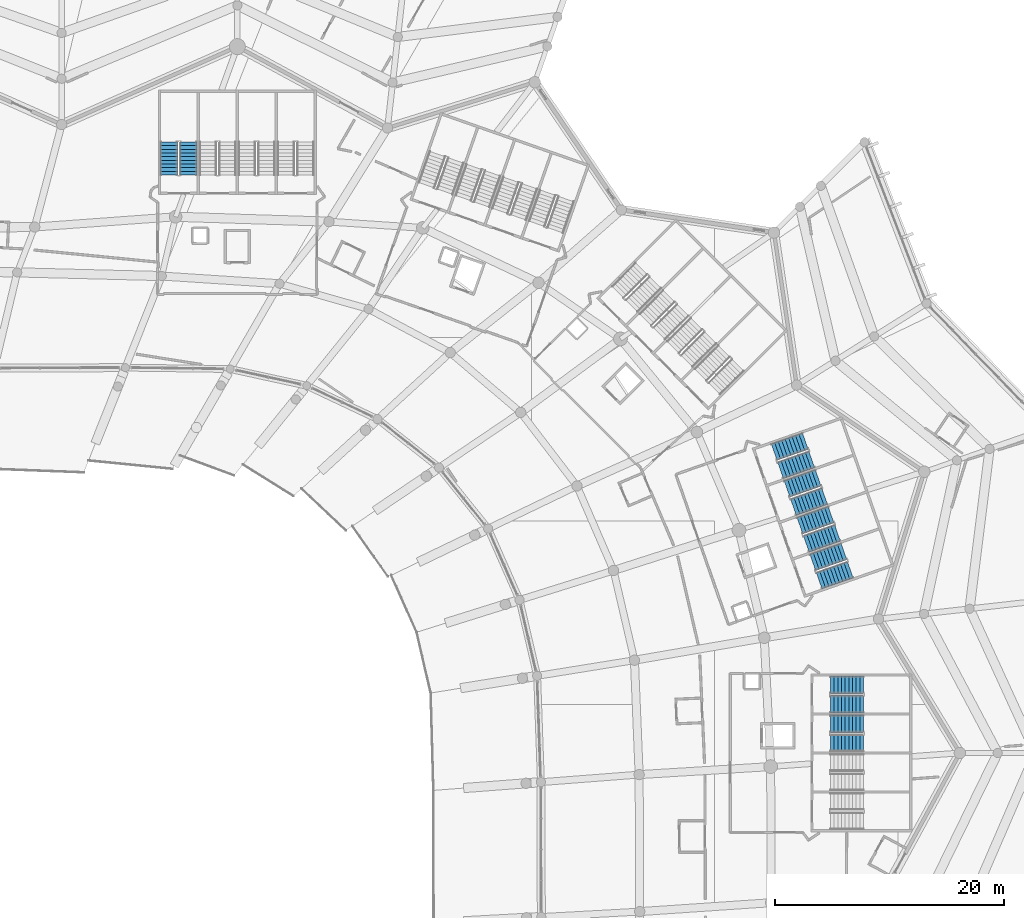
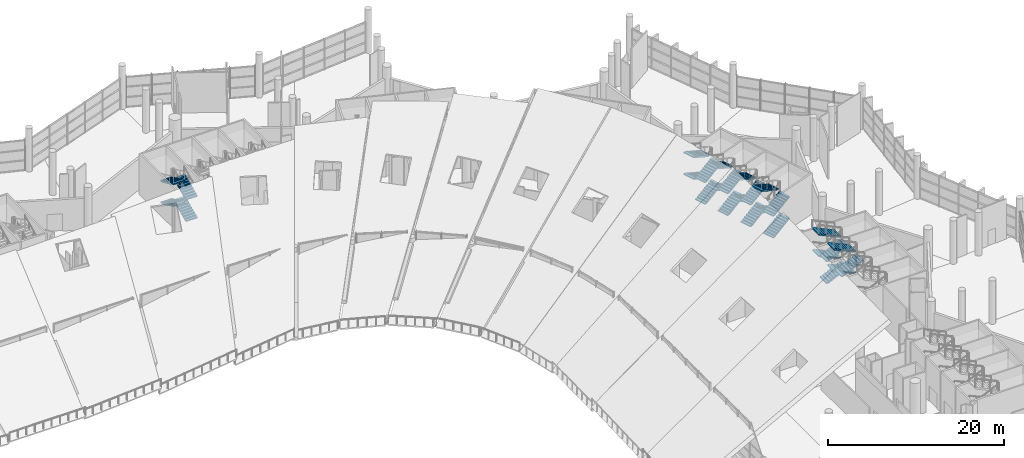
# One storey, part 196 of 249: 27 stair flights, 7 elements without a shape of their own.
"""IFC4 building model written with IfcOpenShell, lengths in metres."""

from ifc_helpers import new_model, si_unit, direction, frame, origin, place, context, subcontext, project, spatial, polyline, outline, extrude, material, type_object, element, aggregate, save


model = new_model("IFC4")

# Units and contexts
model_context = context("Model", 3, precision=1e-05, world=origin(), true_north=direction((0.0, 1.0)))
body_context = subcontext(model_context, "Body", "Model", "MODEL_VIEW")
ifc_project = project(units=[si_unit("LENGTHUNIT", "METRE"), si_unit("AREAUNIT", "SQUARE_METRE"), si_unit("VOLUMEUNIT", "CUBIC_METRE"), si_unit("PLANEANGLEUNIT", "RADIAN"), si_unit("MASSUNIT", "GRAM", prefix="KILO")], contexts=[model_context])

# Site, building, storey
site_placement = place(None, origin())
site = spatial("IfcSite", under=ifc_project, at=site_placement, CompositionType="ELEMENT")
building_placement = place(site_placement, origin())
building = spatial("IfcBuilding", under=site, at=building_placement, Name="Meseta Stadium", CompositionType="ELEMENT")
storey_placement = place(building_placement, frame((0.0, 0.0, 12.0)))
storey = spatial("IfcBuildingStorey", under=building, at=storey_placement, Name="L02", CompositionType="ELEMENT", Elevation=12.0)

# Stair, stair flights
ifc_material_1 = material(Name="Concrete C40/50", Category="concrete")
stair_type = type_object("IfcStairType", Name="Exit stair 4 flights 150 mm risers", PredefinedType="HALF_TURN_STAIR", material=ifc_material_1)
stair_1_placement = place(storey_placement, origin())
stair_1 = element("IfcStair", 1, at=stair_1_placement, inside=storey, type_object=stair_type, Name="ST19 L02", PredefinedType="HALF_TURN_STAIR")
ifc_material_2 = material(Name="Concrete C40/50", Category="concrete")
stair_flight_type = type_object("IfcStairFlightType", Name="Exit stair flight 150 mm risers, 4 per storey", PredefinedType="STRAIGHT", material=ifc_material_2)
stair_flight_1_placement = place(storey_placement, frame((92.97998046875, 46.300048828125, 1.5), z_axis=(0.0, 0.0, 1.0), x_axis=(-1.0, 0.0, 0.0)))
stair_flight_1 = element("IfcStairFlight", 2, at=stair_flight_1_placement, type_object=stair_flight_type, Name="ST19 L02 flight 2", NumberOfRisers=10, NumberOfTreads=9, PredefinedType="STRAIGHT", RiserHeight=0.15, TreadLength=0.32, context=body_context, shape_type="SweptSolid", body=[
    extrude(outline(polyline([(0.0, 0.0), (0.0, 0.14990234375), (0.320068359375, 0.14990234375), (0.320068359375, 0.300048828125), (0.639892578125, 0.300048828125), (0.639892578125, 0.449951171875), (0.9599609375, 0.449951171875), (0.9599609375, 0.60009765625), (1.280029296875, 0.60009765625), (1.280029296875, 0.75), (1.60009765625, 0.75), (1.60009765625, 0.89990234375), (1.919921875, 0.89990234375), (1.919921875, 1.050048828125), (2.239990234375, 1.050048828125), (2.239990234375, 1.199951171875), (2.56005859375, 1.199951171875), (2.56005859375, 1.35009765625), (2.8798828125, 1.35009765625), (2.8798828125, 1.184326171875), (0.353271484375, 0.0), (0.0, 0.0)])), frame((0.0, 0.75, 0.0), z_axis=(0.0, -1.0, 0.0), x_axis=(1.0, 0.0, 0.0)), (0.0, 0.0, 1.0), 1.5),
])
stair_flight_2_placement = place(storey_placement, frame((90.10009765625, 44.60009765625, 3.0), z_axis=(0.0, 0.0, 1.0), x_axis=(1.0, 0.0, 0.0)))
stair_flight_2 = element("IfcStairFlight", 3, at=stair_flight_2_placement, type_object=stair_flight_type, Name="ST19 L02 flight 3", NumberOfRisers=10, NumberOfTreads=9, PredefinedType="STRAIGHT", RiserHeight=0.15, TreadLength=0.32, context=body_context, shape_type="SweptSolid", body=[
    extrude(outline(polyline([(0.0, 0.0), (0.0, 0.14990234375), (0.320068359375, 0.14990234375), (0.320068359375, 0.300048828125), (0.639892578125, 0.300048828125), (0.639892578125, 0.449951171875), (0.9599609375, 0.449951171875), (0.9599609375, 0.60009765625), (1.280029296875, 0.60009765625), (1.280029296875, 0.75), (1.60009765625, 0.75), (1.60009765625, 0.89990234375), (1.919921875, 0.89990234375), (1.919921875, 1.050048828125), (2.239990234375, 1.050048828125), (2.239990234375, 1.199951171875), (2.56005859375, 1.199951171875), (2.56005859375, 1.35009765625), (2.8798828125, 1.35009765625), (2.8798828125, 1.184326171875), (0.353271484375, 0.0), (0.0, 0.0)])), frame((0.0, 0.75, 0.0), z_axis=(0.0, -1.0, 0.0), x_axis=(1.0, 0.0, 0.0)), (0.0, 0.0, 1.0), 1.5),
])
stair_flight_3_placement = place(storey_placement, frame((92.97998046875, 46.300048828125, 4.5), z_axis=(0.0, 0.0, 1.0), x_axis=(-1.0, 0.0, 0.0)))
stair_flight_3 = element("IfcStairFlight", 4, at=stair_flight_3_placement, type_object=stair_flight_type, Name="ST19 L02 flight 4", NumberOfRisers=10, NumberOfTreads=9, PredefinedType="STRAIGHT", RiserHeight=0.15, TreadLength=0.32, context=body_context, shape_type="SweptSolid", body=[
    extrude(outline(polyline([(0.0, 0.0), (0.0, 0.14990234375), (0.320068359375, 0.14990234375), (0.320068359375, 0.300048828125), (0.639892578125, 0.300048828125), (0.639892578125, 0.449951171875), (0.9599609375, 0.449951171875), (0.9599609375, 0.60009765625), (1.280029296875, 0.60009765625), (1.280029296875, 0.75), (1.60009765625, 0.75), (1.60009765625, 0.89990234375), (1.919921875, 0.89990234375), (1.919921875, 1.050048828125), (2.239990234375, 1.050048828125), (2.239990234375, 1.199951171875), (2.56005859375, 1.199951171875), (2.56005859375, 1.35009765625), (2.8798828125, 1.35009765625), (2.8798828125, 1.184326171875), (0.353271484375, 0.0), (0.0, 0.0)])), frame((0.0, 0.75, 0.0), z_axis=(0.0, -1.0, 0.0), x_axis=(1.0, 0.0, 0.0)), (0.0, 0.0, 1.0), 1.5),
])
aggregate(stair_1, [stair_flight_1, stair_flight_2, stair_flight_3])

stair_2_placement = place(storey_placement, origin())
stair_2 = element("IfcStair", 5, at=stair_2_placement, inside=storey, type_object=stair_type, Name="ST20 L02", PredefinedType="HALF_TURN_STAIR")
stair_flight_4_placement = place(storey_placement, frame((90.10009765625, 48.0, 0.0), z_axis=(0.0, 0.0, 1.0), x_axis=(1.0, 0.0, 0.0)))
stair_flight_4 = element("IfcStairFlight", 6, at=stair_flight_4_placement, type_object=stair_flight_type, Name="ST20 L02 flight 1", NumberOfRisers=10, NumberOfTreads=9, PredefinedType="STRAIGHT", RiserHeight=0.15, TreadLength=0.32, context=body_context, shape_type="SweptSolid", body=[
    extrude(outline(polyline([(0.0, 0.0), (0.0, 0.14990234375), (0.320068359375, 0.14990234375), (0.320068359375, 0.300048828125), (0.639892578125, 0.300048828125), (0.639892578125, 0.449951171875), (0.9599609375, 0.449951171875), (0.9599609375, 0.60009765625), (1.280029296875, 0.60009765625), (1.280029296875, 0.75), (1.60009765625, 0.75), (1.60009765625, 0.89990234375), (1.919921875, 0.89990234375), (1.919921875, 1.050048828125), (2.239990234375, 1.050048828125), (2.239990234375, 1.199951171875), (2.56005859375, 1.199951171875), (2.56005859375, 1.35009765625), (2.8798828125, 1.35009765625), (2.8798828125, 1.184326171875), (0.353271484375, 0.0), (0.0, 0.0)])), frame((0.0, 0.75, 0.0), z_axis=(0.0, -1.0, 0.0), x_axis=(1.0, 0.0, 0.0)), (0.0, 0.0, 1.0), 1.5),
])
stair_flight_5_placement = place(storey_placement, frame((92.97998046875, 49.699951171875, 1.5), z_axis=(0.0, 0.0, 1.0), x_axis=(-1.0, 0.0, 0.0)))
stair_flight_5 = element("IfcStairFlight", 7, at=stair_flight_5_placement, type_object=stair_flight_type, Name="ST20 L02 flight 2", NumberOfRisers=10, NumberOfTreads=9, PredefinedType="STRAIGHT", RiserHeight=0.15, TreadLength=0.32, context=body_context, shape_type="SweptSolid", body=[
    extrude(outline(polyline([(0.0, 0.0), (0.0, 0.14990234375), (0.320068359375, 0.14990234375), (0.320068359375, 0.300048828125), (0.639892578125, 0.300048828125), (0.639892578125, 0.449951171875), (0.9599609375, 0.449951171875), (0.9599609375, 0.60009765625), (1.280029296875, 0.60009765625), (1.280029296875, 0.75), (1.60009765625, 0.75), (1.60009765625, 0.89990234375), (1.919921875, 0.89990234375), (1.919921875, 1.050048828125), (2.239990234375, 1.050048828125), (2.239990234375, 1.199951171875), (2.56005859375, 1.199951171875), (2.56005859375, 1.35009765625), (2.8798828125, 1.35009765625), (2.8798828125, 1.184326171875), (0.353271484375, 0.0), (0.0, 0.0)])), frame((0.0, 0.75, 0.0), z_axis=(0.0, -1.0, 0.0), x_axis=(1.0, 0.0, 0.0)), (0.0, 0.0, 1.0), 1.5),
])
stair_flight_6_placement = place(storey_placement, frame((90.10009765625, 48.0, 3.0), z_axis=(0.0, 0.0, 1.0), x_axis=(1.0, 0.0, 0.0)))
stair_flight_6 = element("IfcStairFlight", 8, at=stair_flight_6_placement, type_object=stair_flight_type, Name="ST20 L02 flight 3", NumberOfRisers=10, NumberOfTreads=9, PredefinedType="STRAIGHT", RiserHeight=0.15, TreadLength=0.32, context=body_context, shape_type="SweptSolid", body=[
    extrude(outline(polyline([(0.0, 0.0), (0.0, 0.14990234375), (0.320068359375, 0.14990234375), (0.320068359375, 0.300048828125), (0.639892578125, 0.300048828125), (0.639892578125, 0.449951171875), (0.9599609375, 0.449951171875), (0.9599609375, 0.60009765625), (1.280029296875, 0.60009765625), (1.280029296875, 0.75), (1.60009765625, 0.75), (1.60009765625, 0.89990234375), (1.919921875, 0.89990234375), (1.919921875, 1.050048828125), (2.239990234375, 1.050048828125), (2.239990234375, 1.199951171875), (2.56005859375, 1.199951171875), (2.56005859375, 1.35009765625), (2.8798828125, 1.35009765625), (2.8798828125, 1.184326171875), (0.353271484375, 0.0), (0.0, 0.0)])), frame((0.0, 0.75, 0.0), z_axis=(0.0, -1.0, 0.0), x_axis=(1.0, 0.0, 0.0)), (0.0, 0.0, 1.0), 1.5),
])
stair_flight_7_placement = place(storey_placement, frame((92.97998046875, 49.699951171875, 4.5), z_axis=(0.0, 0.0, 1.0), x_axis=(-1.0, 0.0, 0.0)))
stair_flight_7 = element("IfcStairFlight", 9, at=stair_flight_7_placement, type_object=stair_flight_type, Name="ST20 L02 flight 4", NumberOfRisers=10, NumberOfTreads=9, PredefinedType="STRAIGHT", RiserHeight=0.15, TreadLength=0.32, context=body_context, shape_type="SweptSolid", body=[
    extrude(outline(polyline([(0.0, 0.0), (0.0, 0.14990234375), (0.320068359375, 0.14990234375), (0.320068359375, 0.300048828125), (0.639892578125, 0.300048828125), (0.639892578125, 0.449951171875), (0.9599609375, 0.449951171875), (0.9599609375, 0.60009765625), (1.280029296875, 0.60009765625), (1.280029296875, 0.75), (1.60009765625, 0.75), (1.60009765625, 0.89990234375), (1.919921875, 0.89990234375), (1.919921875, 1.050048828125), (2.239990234375, 1.050048828125), (2.239990234375, 1.199951171875), (2.56005859375, 1.199951171875), (2.56005859375, 1.35009765625), (2.8798828125, 1.35009765625), (2.8798828125, 1.184326171875), (0.353271484375, 0.0), (0.0, 0.0)])), frame((0.0, 0.75, 0.0), z_axis=(0.0, -1.0, 0.0), x_axis=(1.0, 0.0, 0.0)), (0.0, 0.0, 1.0), 1.5),
])
aggregate(stair_2, [stair_flight_4, stair_flight_5, stair_flight_6, stair_flight_7])

stair_3_placement = place(storey_placement, origin())
stair_3 = element("IfcStair", 10, at=stair_3_placement, inside=storey, type_object=stair_type, Name="ST21 L02", PredefinedType="HALF_TURN_STAIR")
stair_flight_8_placement = place(storey_placement, frame((89.118408203125, 58.7841796875, 0.0), z_axis=(0.0, 0.0, 1.0), x_axis=(0.943883331955, 0.330279057248, 0.0)))
stair_flight_8 = element("IfcStairFlight", 11, at=stair_flight_8_placement, type_object=stair_flight_type, Name="ST21 L02 flight 1", NumberOfRisers=10, NumberOfTreads=9, PredefinedType="STRAIGHT", RiserHeight=0.15, TreadLength=0.32, context=body_context, shape_type="SweptSolid", body=[
    extrude(outline(polyline([(0.0, 0.0), (0.0, 0.14990234375), (0.320068359375, 0.14990234375), (0.320068359375, 0.300048828125), (0.639892578125, 0.300048828125), (0.639892578125, 0.449951171875), (0.9599609375, 0.449951171875), (0.9599609375, 0.60009765625), (1.280029296875, 0.60009765625), (1.280029296875, 0.75), (1.60009765625, 0.75), (1.60009765625, 0.89990234375), (1.919921875, 0.89990234375), (1.919921875, 1.050048828125), (2.239990234375, 1.050048828125), (2.239990234375, 1.199951171875), (2.56005859375, 1.199951171875), (2.56005859375, 1.35009765625), (2.8798828125, 1.35009765625), (2.8798828125, 1.184326171875), (0.353271484375, 0.0), (0.0, 0.0)])), frame((0.0, 0.75, 0.0), z_axis=(0.0, -1.0, 0.0), x_axis=(1.0, 0.0, 0.0)), (0.0, 0.0, 1.0), 1.5),
])
stair_flight_9_placement = place(storey_placement, frame((91.275390625, 61.33984375, 1.5), z_axis=(0.0, 0.0, 1.0), x_axis=(-0.943883331955, -0.330279057248, 0.0)))
stair_flight_9 = element("IfcStairFlight", 12, at=stair_flight_9_placement, type_object=stair_flight_type, Name="ST21 L02 flight 2", NumberOfRisers=10, NumberOfTreads=9, PredefinedType="STRAIGHT", RiserHeight=0.15, TreadLength=0.32, context=body_context, shape_type="SweptSolid", body=[
    extrude(outline(polyline([(0.0, 0.0), (0.0, 0.14990234375), (0.320068359375, 0.14990234375), (0.320068359375, 0.300048828125), (0.639892578125, 0.300048828125), (0.639892578125, 0.449951171875), (0.9599609375, 0.449951171875), (0.9599609375, 0.60009765625), (1.280029296875, 0.60009765625), (1.280029296875, 0.75), (1.60009765625, 0.75), (1.60009765625, 0.89990234375), (1.919921875, 0.89990234375), (1.919921875, 1.050048828125), (2.239990234375, 1.050048828125), (2.239990234375, 1.199951171875), (2.56005859375, 1.199951171875), (2.56005859375, 1.35009765625), (2.8798828125, 1.35009765625), (2.8798828125, 1.184326171875), (0.353271484375, 0.0), (0.0, 0.0)])), frame((0.0, 0.75, 0.0), z_axis=(0.0, -1.0, 0.0), x_axis=(1.0, 0.0, 0.0)), (0.0, 0.0, 1.0), 1.5),
])
stair_flight_10_placement = place(storey_placement, frame((89.118408203125, 58.7841796875, 3.0), z_axis=(0.0, 0.0, 1.0), x_axis=(0.943883331955, 0.330279057248, 0.0)))
stair_flight_10 = element("IfcStairFlight", 13, at=stair_flight_10_placement, type_object=stair_flight_type, Name="ST21 L02 flight 3", NumberOfRisers=10, NumberOfTreads=9, PredefinedType="STRAIGHT", RiserHeight=0.15, TreadLength=0.32, context=body_context, shape_type="SweptSolid", body=[
    extrude(outline(polyline([(0.0, 0.0), (0.0, 0.14990234375), (0.320068359375, 0.14990234375), (0.320068359375, 0.300048828125), (0.639892578125, 0.300048828125), (0.639892578125, 0.449951171875), (0.9599609375, 0.449951171875), (0.9599609375, 0.60009765625), (1.280029296875, 0.60009765625), (1.280029296875, 0.75), (1.60009765625, 0.75), (1.60009765625, 0.89990234375), (1.919921875, 0.89990234375), (1.919921875, 1.050048828125), (2.239990234375, 1.050048828125), (2.239990234375, 1.199951171875), (2.56005859375, 1.199951171875), (2.56005859375, 1.35009765625), (2.8798828125, 1.35009765625), (2.8798828125, 1.184326171875), (0.353271484375, 0.0), (0.0, 0.0)])), frame((0.0, 0.75, 0.0), z_axis=(0.0, -1.0, 0.0), x_axis=(1.0, 0.0, 0.0)), (0.0, 0.0, 1.0), 1.5),
])
stair_flight_11_placement = place(storey_placement, frame((91.275390625, 61.33984375, 4.5), z_axis=(0.0, 0.0, 1.0), x_axis=(-0.943883331955, -0.330279057248, 0.0)))
stair_flight_11 = element("IfcStairFlight", 14, at=stair_flight_11_placement, type_object=stair_flight_type, Name="ST21 L02 flight 4", NumberOfRisers=10, NumberOfTreads=9, PredefinedType="STRAIGHT", RiserHeight=0.15, TreadLength=0.32, context=body_context, shape_type="SweptSolid", body=[
    extrude(outline(polyline([(0.0, 0.0), (0.0, 0.14990234375), (0.320068359375, 0.14990234375), (0.320068359375, 0.300048828125), (0.639892578125, 0.300048828125), (0.639892578125, 0.449951171875), (0.9599609375, 0.449951171875), (0.9599609375, 0.60009765625), (1.280029296875, 0.60009765625), (1.280029296875, 0.75), (1.60009765625, 0.75), (1.60009765625, 0.89990234375), (1.919921875, 0.89990234375), (1.919921875, 1.050048828125), (2.239990234375, 1.050048828125), (2.239990234375, 1.199951171875), (2.56005859375, 1.199951171875), (2.56005859375, 1.35009765625), (2.8798828125, 1.35009765625), (2.8798828125, 1.184326171875), (0.353271484375, 0.0), (0.0, 0.0)])), frame((0.0, 0.75, 0.0), z_axis=(0.0, -1.0, 0.0), x_axis=(1.0, 0.0, 0.0)), (0.0, 0.0, 1.0), 1.5),
])
aggregate(stair_3, [stair_flight_8, stair_flight_9, stair_flight_10, stair_flight_11])

stair_4_placement = place(storey_placement, origin())
stair_4 = element("IfcStair", 15, at=stair_4_placement, inside=storey, type_object=stair_type, Name="ST22 L02", PredefinedType="HALF_TURN_STAIR")
stair_flight_12_placement = place(storey_placement, frame((87.99560546875, 61.9931640625, 0.0), z_axis=(0.0, 0.0, 1.0), x_axis=(0.943883331955, 0.330279057248, 0.0)))
stair_flight_12 = element("IfcStairFlight", 16, at=stair_flight_12_placement, type_object=stair_flight_type, Name="ST22 L02 flight 1", NumberOfRisers=10, NumberOfTreads=9, PredefinedType="STRAIGHT", RiserHeight=0.15, TreadLength=0.32, context=body_context, shape_type="SweptSolid", body=[
    extrude(outline(polyline([(0.0, 0.0), (0.0, 0.14990234375), (0.320068359375, 0.14990234375), (0.320068359375, 0.300048828125), (0.639892578125, 0.300048828125), (0.639892578125, 0.449951171875), (0.9599609375, 0.449951171875), (0.9599609375, 0.60009765625), (1.280029296875, 0.60009765625), (1.280029296875, 0.75), (1.60009765625, 0.75), (1.60009765625, 0.89990234375), (1.919921875, 0.89990234375), (1.919921875, 1.050048828125), (2.239990234375, 1.050048828125), (2.239990234375, 1.199951171875), (2.56005859375, 1.199951171875), (2.56005859375, 1.35009765625), (2.8798828125, 1.35009765625), (2.8798828125, 1.184326171875), (0.353271484375, 0.0), (0.0, 0.0)])), frame((0.0, 0.75, 0.0), z_axis=(0.0, -1.0, 0.0), x_axis=(1.0, 0.0, 0.0)), (0.0, 0.0, 1.0), 1.5),
])
stair_flight_13_placement = place(storey_placement, frame((90.15234375, 64.549072265625, 1.5), z_axis=(0.0, 0.0, 1.0), x_axis=(-0.943883331955, -0.330279057248, 0.0)))
stair_flight_13 = element("IfcStairFlight", 17, at=stair_flight_13_placement, type_object=stair_flight_type, Name="ST22 L02 flight 2", NumberOfRisers=10, NumberOfTreads=9, PredefinedType="STRAIGHT", RiserHeight=0.15, TreadLength=0.32, context=body_context, shape_type="SweptSolid", body=[
    extrude(outline(polyline([(0.0, 0.0), (0.0, 0.14990234375), (0.320068359375, 0.14990234375), (0.320068359375, 0.300048828125), (0.639892578125, 0.300048828125), (0.639892578125, 0.449951171875), (0.9599609375, 0.449951171875), (0.9599609375, 0.60009765625), (1.280029296875, 0.60009765625), (1.280029296875, 0.75), (1.60009765625, 0.75), (1.60009765625, 0.89990234375), (1.919921875, 0.89990234375), (1.919921875, 1.050048828125), (2.239990234375, 1.050048828125), (2.239990234375, 1.199951171875), (2.56005859375, 1.199951171875), (2.56005859375, 1.35009765625), (2.8798828125, 1.35009765625), (2.8798828125, 1.184326171875), (0.353271484375, 0.0), (0.0, 0.0)])), frame((0.0, 0.75, 0.0), z_axis=(0.0, -1.0, 0.0), x_axis=(1.0, 0.0, 0.0)), (0.0, 0.0, 1.0), 1.5),
])
stair_flight_14_placement = place(storey_placement, frame((87.99560546875, 61.9931640625, 3.0), z_axis=(0.0, 0.0, 1.0), x_axis=(0.943883331955, 0.330279057248, 0.0)))
stair_flight_14 = element("IfcStairFlight", 18, at=stair_flight_14_placement, type_object=stair_flight_type, Name="ST22 L02 flight 3", NumberOfRisers=10, NumberOfTreads=9, PredefinedType="STRAIGHT", RiserHeight=0.15, TreadLength=0.32, context=body_context, shape_type="SweptSolid", body=[
    extrude(outline(polyline([(0.0, 0.0), (0.0, 0.14990234375), (0.320068359375, 0.14990234375), (0.320068359375, 0.300048828125), (0.639892578125, 0.300048828125), (0.639892578125, 0.449951171875), (0.9599609375, 0.449951171875), (0.9599609375, 0.60009765625), (1.280029296875, 0.60009765625), (1.280029296875, 0.75), (1.60009765625, 0.75), (1.60009765625, 0.89990234375), (1.919921875, 0.89990234375), (1.919921875, 1.050048828125), (2.239990234375, 1.050048828125), (2.239990234375, 1.199951171875), (2.56005859375, 1.199951171875), (2.56005859375, 1.35009765625), (2.8798828125, 1.35009765625), (2.8798828125, 1.184326171875), (0.353271484375, 0.0), (0.0, 0.0)])), frame((0.0, 0.75, 0.0), z_axis=(0.0, -1.0, 0.0), x_axis=(1.0, 0.0, 0.0)), (0.0, 0.0, 1.0), 1.5),
])
stair_flight_15_placement = place(storey_placement, frame((90.15234375, 64.549072265625, 4.5), z_axis=(0.0, 0.0, 1.0), x_axis=(-0.943883331955, -0.330279057248, 0.0)))
stair_flight_15 = element("IfcStairFlight", 19, at=stair_flight_15_placement, type_object=stair_flight_type, Name="ST22 L02 flight 4", NumberOfRisers=10, NumberOfTreads=9, PredefinedType="STRAIGHT", RiserHeight=0.15, TreadLength=0.32, context=body_context, shape_type="SweptSolid", body=[
    extrude(outline(polyline([(0.0, 0.0), (0.0, 0.14990234375), (0.320068359375, 0.14990234375), (0.320068359375, 0.300048828125), (0.639892578125, 0.300048828125), (0.639892578125, 0.449951171875), (0.9599609375, 0.449951171875), (0.9599609375, 0.60009765625), (1.280029296875, 0.60009765625), (1.280029296875, 0.75), (1.60009765625, 0.75), (1.60009765625, 0.89990234375), (1.919921875, 0.89990234375), (1.919921875, 1.050048828125), (2.239990234375, 1.050048828125), (2.239990234375, 1.199951171875), (2.56005859375, 1.199951171875), (2.56005859375, 1.35009765625), (2.8798828125, 1.35009765625), (2.8798828125, 1.184326171875), (0.353271484375, 0.0), (0.0, 0.0)])), frame((0.0, 0.75, 0.0), z_axis=(0.0, -1.0, 0.0), x_axis=(1.0, 0.0, 0.0)), (0.0, 0.0, 1.0), 1.5),
])
aggregate(stair_4, [stair_flight_12, stair_flight_13, stair_flight_14, stair_flight_15])

stair_5_placement = place(storey_placement, origin())
stair_5 = element("IfcStair", 20, at=stair_5_placement, inside=storey, type_object=stair_type, Name="ST23 L02", PredefinedType="HALF_TURN_STAIR")
stair_flight_16_placement = place(storey_placement, frame((86.87255859375, 65.202392578125, 0.0), z_axis=(0.0, 0.0, 1.0), x_axis=(0.943883331955, 0.330279057248, 0.0)))
stair_flight_16 = element("IfcStairFlight", 21, at=stair_flight_16_placement, type_object=stair_flight_type, Name="ST23 L02 flight 1", NumberOfRisers=10, NumberOfTreads=9, PredefinedType="STRAIGHT", RiserHeight=0.15, TreadLength=0.32, context=body_context, shape_type="SweptSolid", body=[
    extrude(outline(polyline([(0.0, 0.0), (0.0, 0.14990234375), (0.320068359375, 0.14990234375), (0.320068359375, 0.300048828125), (0.639892578125, 0.300048828125), (0.639892578125, 0.449951171875), (0.9599609375, 0.449951171875), (0.9599609375, 0.60009765625), (1.280029296875, 0.60009765625), (1.280029296875, 0.75), (1.60009765625, 0.75), (1.60009765625, 0.89990234375), (1.919921875, 0.89990234375), (1.919921875, 1.050048828125), (2.239990234375, 1.050048828125), (2.239990234375, 1.199951171875), (2.56005859375, 1.199951171875), (2.56005859375, 1.35009765625), (2.8798828125, 1.35009765625), (2.8798828125, 1.184326171875), (0.353271484375, 0.0), (0.0, 0.0)])), frame((0.0, 0.75, 0.0), z_axis=(0.0, -1.0, 0.0), x_axis=(1.0, 0.0, 0.0)), (0.0, 0.0, 1.0), 1.5),
])
stair_flight_17_placement = place(storey_placement, frame((89.029541015625, 67.75830078125, 1.5), z_axis=(0.0, 0.0, 1.0), x_axis=(-0.943883331955, -0.330279057248, 0.0)))
stair_flight_17 = element("IfcStairFlight", 22, at=stair_flight_17_placement, type_object=stair_flight_type, Name="ST23 L02 flight 2", NumberOfRisers=10, NumberOfTreads=9, PredefinedType="STRAIGHT", RiserHeight=0.15, TreadLength=0.32, context=body_context, shape_type="SweptSolid", body=[
    extrude(outline(polyline([(0.0, 0.0), (0.0, 0.14990234375), (0.320068359375, 0.14990234375), (0.320068359375, 0.300048828125), (0.639892578125, 0.300048828125), (0.639892578125, 0.449951171875), (0.9599609375, 0.449951171875), (0.9599609375, 0.60009765625), (1.280029296875, 0.60009765625), (1.280029296875, 0.75), (1.60009765625, 0.75), (1.60009765625, 0.89990234375), (1.919921875, 0.89990234375), (1.919921875, 1.050048828125), (2.239990234375, 1.050048828125), (2.239990234375, 1.199951171875), (2.56005859375, 1.199951171875), (2.56005859375, 1.35009765625), (2.8798828125, 1.35009765625), (2.8798828125, 1.184326171875), (0.353271484375, 0.0), (0.0, 0.0)])), frame((0.0, 0.75, 0.0), z_axis=(0.0, -1.0, 0.0), x_axis=(1.0, 0.0, 0.0)), (0.0, 0.0, 1.0), 1.5),
])
stair_flight_18_placement = place(storey_placement, frame((86.87255859375, 65.202392578125, 3.0), z_axis=(0.0, 0.0, 1.0), x_axis=(0.943883331955, 0.330279057248, 0.0)))
stair_flight_18 = element("IfcStairFlight", 23, at=stair_flight_18_placement, type_object=stair_flight_type, Name="ST23 L02 flight 3", NumberOfRisers=10, NumberOfTreads=9, PredefinedType="STRAIGHT", RiserHeight=0.15, TreadLength=0.32, context=body_context, shape_type="SweptSolid", body=[
    extrude(outline(polyline([(0.0, 0.0), (0.0, 0.14990234375), (0.320068359375, 0.14990234375), (0.320068359375, 0.300048828125), (0.639892578125, 0.300048828125), (0.639892578125, 0.449951171875), (0.9599609375, 0.449951171875), (0.9599609375, 0.60009765625), (1.280029296875, 0.60009765625), (1.280029296875, 0.75), (1.60009765625, 0.75), (1.60009765625, 0.89990234375), (1.919921875, 0.89990234375), (1.919921875, 1.050048828125), (2.239990234375, 1.050048828125), (2.239990234375, 1.199951171875), (2.56005859375, 1.199951171875), (2.56005859375, 1.35009765625), (2.8798828125, 1.35009765625), (2.8798828125, 1.184326171875), (0.353271484375, 0.0), (0.0, 0.0)])), frame((0.0, 0.75, 0.0), z_axis=(0.0, -1.0, 0.0), x_axis=(1.0, 0.0, 0.0)), (0.0, 0.0, 1.0), 1.5),
])
stair_flight_19_placement = place(storey_placement, frame((89.029541015625, 67.75830078125, 4.5), z_axis=(0.0, 0.0, 1.0), x_axis=(-0.943883331955, -0.330279057248, 0.0)))
stair_flight_19 = element("IfcStairFlight", 24, at=stair_flight_19_placement, type_object=stair_flight_type, Name="ST23 L02 flight 4", NumberOfRisers=10, NumberOfTreads=9, PredefinedType="STRAIGHT", RiserHeight=0.15, TreadLength=0.32, context=body_context, shape_type="SweptSolid", body=[
    extrude(outline(polyline([(0.0, 0.0), (0.0, 0.14990234375), (0.320068359375, 0.14990234375), (0.320068359375, 0.300048828125), (0.639892578125, 0.300048828125), (0.639892578125, 0.449951171875), (0.9599609375, 0.449951171875), (0.9599609375, 0.60009765625), (1.280029296875, 0.60009765625), (1.280029296875, 0.75), (1.60009765625, 0.75), (1.60009765625, 0.89990234375), (1.919921875, 0.89990234375), (1.919921875, 1.050048828125), (2.239990234375, 1.050048828125), (2.239990234375, 1.199951171875), (2.56005859375, 1.199951171875), (2.56005859375, 1.35009765625), (2.8798828125, 1.35009765625), (2.8798828125, 1.184326171875), (0.353271484375, 0.0), (0.0, 0.0)])), frame((0.0, 0.75, 0.0), z_axis=(0.0, -1.0, 0.0), x_axis=(1.0, 0.0, 0.0)), (0.0, 0.0, 1.0), 1.5),
])
aggregate(stair_5, [stair_flight_16, stair_flight_17, stair_flight_18, stair_flight_19])

stair_6_placement = place(storey_placement, origin())
stair_6 = element("IfcStair", 25, at=stair_6_placement, inside=storey, type_object=stair_type, Name="ST24 L02", PredefinedType="HALF_TURN_STAIR")
stair_flight_20_placement = place(storey_placement, frame((85.74951171875, 68.41162109375, 0.0), z_axis=(0.0, 0.0, 1.0), x_axis=(0.943883331955, 0.330279057248, 0.0)))
stair_flight_20 = element("IfcStairFlight", 26, at=stair_flight_20_placement, type_object=stair_flight_type, Name="ST24 L02 flight 1", NumberOfRisers=10, NumberOfTreads=9, PredefinedType="STRAIGHT", RiserHeight=0.15, TreadLength=0.32, context=body_context, shape_type="SweptSolid", body=[
    extrude(outline(polyline([(0.0, 0.0), (0.0, 0.14990234375), (0.320068359375, 0.14990234375), (0.320068359375, 0.300048828125), (0.639892578125, 0.300048828125), (0.639892578125, 0.449951171875), (0.9599609375, 0.449951171875), (0.9599609375, 0.60009765625), (1.280029296875, 0.60009765625), (1.280029296875, 0.75), (1.60009765625, 0.75), (1.60009765625, 0.89990234375), (1.919921875, 0.89990234375), (1.919921875, 1.050048828125), (2.239990234375, 1.050048828125), (2.239990234375, 1.199951171875), (2.56005859375, 1.199951171875), (2.56005859375, 1.35009765625), (2.8798828125, 1.35009765625), (2.8798828125, 1.184326171875), (0.353271484375, 0.0), (0.0, 0.0)])), frame((0.0, 0.75, 0.0), z_axis=(0.0, -1.0, 0.0), x_axis=(1.0, 0.0, 0.0)), (0.0, 0.0, 1.0), 1.5),
])
stair_flight_21_placement = place(storey_placement, frame((87.906494140625, 70.967529296875, 1.5), z_axis=(0.0, 0.0, 1.0), x_axis=(-0.943883331955, -0.330279057248, 0.0)))
stair_flight_21 = element("IfcStairFlight", 27, at=stair_flight_21_placement, type_object=stair_flight_type, Name="ST24 L02 flight 2", NumberOfRisers=10, NumberOfTreads=9, PredefinedType="STRAIGHT", RiserHeight=0.15, TreadLength=0.32, context=body_context, shape_type="SweptSolid", body=[
    extrude(outline(polyline([(0.0, 0.0), (0.0, 0.14990234375), (0.320068359375, 0.14990234375), (0.320068359375, 0.300048828125), (0.639892578125, 0.300048828125), (0.639892578125, 0.449951171875), (0.9599609375, 0.449951171875), (0.9599609375, 0.60009765625), (1.280029296875, 0.60009765625), (1.280029296875, 0.75), (1.60009765625, 0.75), (1.60009765625, 0.89990234375), (1.919921875, 0.89990234375), (1.919921875, 1.050048828125), (2.239990234375, 1.050048828125), (2.239990234375, 1.199951171875), (2.56005859375, 1.199951171875), (2.56005859375, 1.35009765625), (2.8798828125, 1.35009765625), (2.8798828125, 1.184326171875), (0.353271484375, 0.0), (0.0, 0.0)])), frame((0.0, 0.75, 0.0), z_axis=(0.0, -1.0, 0.0), x_axis=(1.0, 0.0, 0.0)), (0.0, 0.0, 1.0), 1.5),
])
stair_flight_22_placement = place(storey_placement, frame((85.74951171875, 68.41162109375, 3.0), z_axis=(0.0, 0.0, 1.0), x_axis=(0.943883331955, 0.330279057248, 0.0)))
stair_flight_22 = element("IfcStairFlight", 28, at=stair_flight_22_placement, type_object=stair_flight_type, Name="ST24 L02 flight 3", NumberOfRisers=10, NumberOfTreads=9, PredefinedType="STRAIGHT", RiserHeight=0.15, TreadLength=0.32, context=body_context, shape_type="SweptSolid", body=[
    extrude(outline(polyline([(0.0, 0.0), (0.0, 0.14990234375), (0.320068359375, 0.14990234375), (0.320068359375, 0.300048828125), (0.639892578125, 0.300048828125), (0.639892578125, 0.449951171875), (0.9599609375, 0.449951171875), (0.9599609375, 0.60009765625), (1.280029296875, 0.60009765625), (1.280029296875, 0.75), (1.60009765625, 0.75), (1.60009765625, 0.89990234375), (1.919921875, 0.89990234375), (1.919921875, 1.050048828125), (2.239990234375, 1.050048828125), (2.239990234375, 1.199951171875), (2.56005859375, 1.199951171875), (2.56005859375, 1.35009765625), (2.8798828125, 1.35009765625), (2.8798828125, 1.184326171875), (0.353271484375, 0.0), (0.0, 0.0)])), frame((0.0, 0.75, 0.0), z_axis=(0.0, -1.0, 0.0), x_axis=(1.0, 0.0, 0.0)), (0.0, 0.0, 1.0), 1.5),
])
stair_flight_23_placement = place(storey_placement, frame((87.906494140625, 70.967529296875, 4.5), z_axis=(0.0, 0.0, 1.0), x_axis=(-0.943883331955, -0.330279057248, 0.0)))
stair_flight_23 = element("IfcStairFlight", 29, at=stair_flight_23_placement, type_object=stair_flight_type, Name="ST24 L02 flight 4", NumberOfRisers=10, NumberOfTreads=9, PredefinedType="STRAIGHT", RiserHeight=0.15, TreadLength=0.32, context=body_context, shape_type="SweptSolid", body=[
    extrude(outline(polyline([(0.0, 0.0), (0.0, 0.14990234375), (0.320068359375, 0.14990234375), (0.320068359375, 0.300048828125), (0.639892578125, 0.300048828125), (0.639892578125, 0.449951171875), (0.9599609375, 0.449951171875), (0.9599609375, 0.60009765625), (1.280029296875, 0.60009765625), (1.280029296875, 0.75), (1.60009765625, 0.75), (1.60009765625, 0.89990234375), (1.919921875, 0.89990234375), (1.919921875, 1.050048828125), (2.239990234375, 1.050048828125), (2.239990234375, 1.199951171875), (2.56005859375, 1.199951171875), (2.56005859375, 1.35009765625), (2.8798828125, 1.35009765625), (2.8798828125, 1.184326171875), (0.353271484375, 0.0), (0.0, 0.0)])), frame((0.0, 0.75, 0.0), z_axis=(0.0, -1.0, 0.0), x_axis=(1.0, 0.0, 0.0)), (0.0, 0.0, 1.0), 1.5),
])
aggregate(stair_6, [stair_flight_20, stair_flight_21, stair_flight_22, stair_flight_23])

stair_7_placement = place(storey_placement, origin())
stair_7 = element("IfcStair", 30, at=stair_7_placement, inside=storey, type_object=stair_type, Name="ST36 L02", PredefinedType="HALF_TURN_STAIR")
stair_flight_24_placement = place(storey_placement, frame((34.083251953125, 94.199951171875, 0.0), z_axis=(0.0, 0.0, 1.0), x_axis=(0.0, 1.0, 0.0)))
stair_flight_24 = element("IfcStairFlight", 31, at=stair_flight_24_placement, type_object=stair_flight_type, Name="ST36 L02 flight 1", NumberOfRisers=10, NumberOfTreads=9, PredefinedType="STRAIGHT", RiserHeight=0.15, TreadLength=0.32, context=body_context, shape_type="SweptSolid", body=[
    extrude(outline(polyline([(0.0, 0.0), (0.0, 0.14990234375), (0.320068359375, 0.14990234375), (0.320068359375, 0.300048828125), (0.639892578125, 0.300048828125), (0.639892578125, 0.449951171875), (0.9599609375, 0.449951171875), (0.9599609375, 0.60009765625), (1.280029296875, 0.60009765625), (1.280029296875, 0.75), (1.60009765625, 0.75), (1.60009765625, 0.89990234375), (1.919921875, 0.89990234375), (1.919921875, 1.050048828125), (2.239990234375, 1.050048828125), (2.239990234375, 1.199951171875), (2.56005859375, 1.199951171875), (2.56005859375, 1.35009765625), (2.8798828125, 1.35009765625), (2.8798828125, 1.184326171875), (0.353271484375, 0.0), (0.0, 0.0)])), frame((0.0, 0.75, 0.0), z_axis=(0.0, -1.0, 0.0), x_axis=(1.0, 0.0, 0.0)), (0.0, 0.0, 1.0), 1.5),
])
stair_flight_25_placement = place(storey_placement, frame((32.38330078125, 97.080078125, 1.5), z_axis=(0.0, 0.0, 1.0), x_axis=(0.0, -1.0, 0.0)))
stair_flight_25 = element("IfcStairFlight", 32, at=stair_flight_25_placement, type_object=stair_flight_type, Name="ST36 L02 flight 2", NumberOfRisers=10, NumberOfTreads=9, PredefinedType="STRAIGHT", RiserHeight=0.15, TreadLength=0.32, context=body_context, shape_type="SweptSolid", body=[
    extrude(outline(polyline([(0.0, 0.0), (0.0, 0.14990234375), (0.320068359375, 0.14990234375), (0.320068359375, 0.300048828125), (0.639892578125, 0.300048828125), (0.639892578125, 0.449951171875), (0.9599609375, 0.449951171875), (0.9599609375, 0.60009765625), (1.280029296875, 0.60009765625), (1.280029296875, 0.75), (1.60009765625, 0.75), (1.60009765625, 0.89990234375), (1.919921875, 0.89990234375), (1.919921875, 1.050048828125), (2.239990234375, 1.050048828125), (2.239990234375, 1.199951171875), (2.56005859375, 1.199951171875), (2.56005859375, 1.35009765625), (2.8798828125, 1.35009765625), (2.8798828125, 1.184326171875), (0.353271484375, 0.0), (0.0, 0.0)])), frame((0.0, 0.75, 0.0), z_axis=(0.0, -1.0, 0.0), x_axis=(1.0, 0.0, 0.0)), (0.0, 0.0, 1.0), 1.5),
])
stair_flight_26_placement = place(storey_placement, frame((34.083251953125, 94.199951171875, 3.0), z_axis=(0.0, 0.0, 1.0), x_axis=(0.0, 1.0, 0.0)))
stair_flight_26 = element("IfcStairFlight", 33, at=stair_flight_26_placement, type_object=stair_flight_type, Name="ST36 L02 flight 3", NumberOfRisers=10, NumberOfTreads=9, PredefinedType="STRAIGHT", RiserHeight=0.15, TreadLength=0.32, context=body_context, shape_type="SweptSolid", body=[
    extrude(outline(polyline([(0.0, 0.0), (0.0, 0.14990234375), (0.320068359375, 0.14990234375), (0.320068359375, 0.300048828125), (0.639892578125, 0.300048828125), (0.639892578125, 0.449951171875), (0.9599609375, 0.449951171875), (0.9599609375, 0.60009765625), (1.280029296875, 0.60009765625), (1.280029296875, 0.75), (1.60009765625, 0.75), (1.60009765625, 0.89990234375), (1.919921875, 0.89990234375), (1.919921875, 1.050048828125), (2.239990234375, 1.050048828125), (2.239990234375, 1.199951171875), (2.56005859375, 1.199951171875), (2.56005859375, 1.35009765625), (2.8798828125, 1.35009765625), (2.8798828125, 1.184326171875), (0.353271484375, 0.0), (0.0, 0.0)])), frame((0.0, 0.75, 0.0), z_axis=(0.0, -1.0, 0.0), x_axis=(1.0, 0.0, 0.0)), (0.0, 0.0, 1.0), 1.5),
])
stair_flight_27_placement = place(storey_placement, frame((32.38330078125, 97.080078125, 4.5), z_axis=(0.0, 0.0, 1.0), x_axis=(0.0, -1.0, 0.0)))
stair_flight_27 = element("IfcStairFlight", 34, at=stair_flight_27_placement, type_object=stair_flight_type, Name="ST36 L02 flight 4", NumberOfRisers=10, NumberOfTreads=9, PredefinedType="STRAIGHT", RiserHeight=0.15, TreadLength=0.32, context=body_context, shape_type="SweptSolid", body=[
    extrude(outline(polyline([(0.0, 0.0), (0.0, 0.14990234375), (0.320068359375, 0.14990234375), (0.320068359375, 0.300048828125), (0.639892578125, 0.300048828125), (0.639892578125, 0.449951171875), (0.9599609375, 0.449951171875), (0.9599609375, 0.60009765625), (1.280029296875, 0.60009765625), (1.280029296875, 0.75), (1.60009765625, 0.75), (1.60009765625, 0.89990234375), (1.919921875, 0.89990234375), (1.919921875, 1.050048828125), (2.239990234375, 1.050048828125), (2.239990234375, 1.199951171875), (2.56005859375, 1.199951171875), (2.56005859375, 1.35009765625), (2.8798828125, 1.35009765625), (2.8798828125, 1.184326171875), (0.353271484375, 0.0), (0.0, 0.0)])), frame((0.0, 0.75, 0.0), z_axis=(0.0, -1.0, 0.0), x_axis=(1.0, 0.0, 0.0)), (0.0, 0.0, 1.0), 1.5),
])
aggregate(stair_7, [stair_flight_24, stair_flight_25, stair_flight_26, stair_flight_27])

save(model, "model.ifc")
